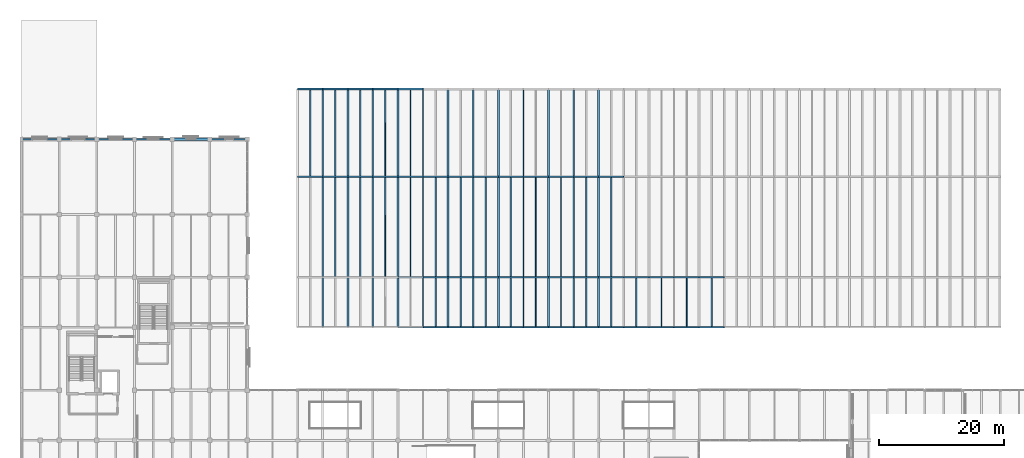
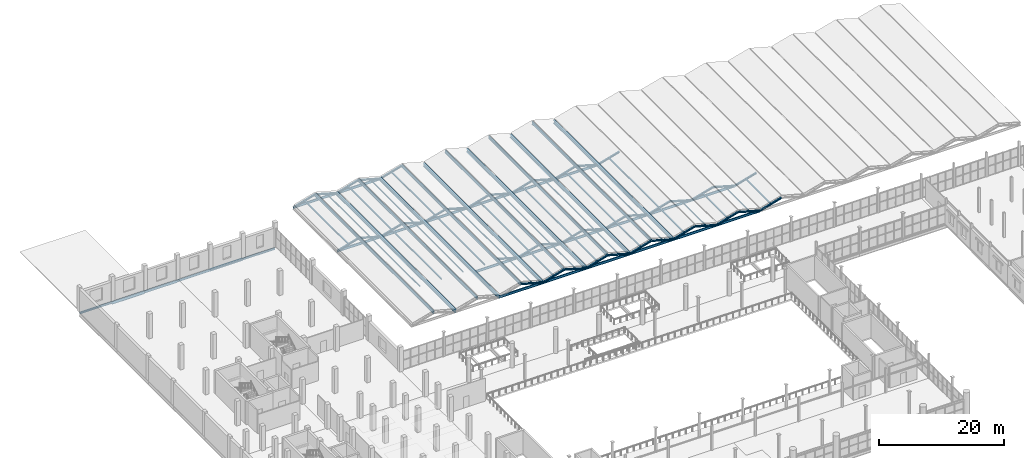
# One storey, part 62 of 114: 71 members, 38 beams.
"""IFC4 building model written with IfcOpenShell, lengths in metres."""

from ifc_helpers import new_model, si_unit, direction, frame, origin, origin_2d, place, context, subcontext, project, spatial, hollow_rectangle, i_section, extrude, material, material_profile, profile_set, type_object, element, save


model = new_model("IFC4")

# Units and contexts
model_context = context("Model", 3, precision=1e-05, world=origin(), true_north=direction((0.0, 1.0)))
body_context = subcontext(model_context, "Body", "Model", "MODEL_VIEW")
ifc_project = project(units=[si_unit("LENGTHUNIT", "METRE"), si_unit("AREAUNIT", "SQUARE_METRE"), si_unit("VOLUMEUNIT", "CUBIC_METRE"), si_unit("PLANEANGLEUNIT", "RADIAN"), si_unit("MASSUNIT", "GRAM", prefix="KILO")], contexts=[model_context])

# Site, building, storey
site_placement = place(None, origin())
site = spatial("IfcSite", under=ifc_project, at=site_placement, CompositionType="ELEMENT")
building_placement = place(site_placement, origin())
building = spatial("IfcBuilding", under=site, at=building_placement, Name="Verrall Gate Interchange", CompositionType="ELEMENT")
storey_placement = place(building_placement, frame((0.0, 0.0, 6.60009765625)))
storey = spatial("IfcBuildingStorey", under=building, at=storey_placement, Name="L02", CompositionType="ELEMENT", Elevation=6.60009765625)

# Beams
ifc_material_1 = material(Name="Structural Steel CSA G40.21 350WT Cat 4", Category="steel")
ifc_material_profile_1 = material_profile(ifc_material_1, i_section(OverallWidth=0.323974609375, OverallDepth=0.611083984375, WebThickness=0.0126953125, FlangeThickness=0.01904296875, FilletRadius=0.014892578125, at=origin_2d()), Name="W610x155")
ifc_profile_set_1 = profile_set([ifc_material_profile_1], Name="Structural Steel CSA G40.21 350WT Cat 4")
beam_type_1 = type_object("IfcBeamType", Name="B-08 Structural Beam W610x155", PredefinedType="BEAM", material=ifc_profile_set_1)
for number, where, z_axis, x_axis, name in (
    (1, (52.0, 66.0, -0.126708984375), (0.0, 1.0, 0.0), (-1.0, 0.0, 0.0), "Bus Roof Valley Girder X=52"),
    (2, (60.0, 66.0, -0.126708984375), (0.0, 1.0, 0.0), (-1.0, 0.0, 0.0), "Bus Roof Valley Girder X=60"),
    (3, (68.0, 66.0, -0.126708984375), (0.0, 1.0, 0.0), (-1.0, 0.0, 0.0), "Bus Roof Valley Girder X=68"),
    (4, (76.0, 66.0, -0.126708984375), (0.0, 1.0, 0.0), (-1.0, 0.0, 0.0), "Bus Roof Valley Girder X=76"),
    (5, (84.0, 66.0, -0.126708984375), (0.0, 1.0, 0.0), (-1.0, 0.0, 0.0), "Bus Roof Valley Girder X=84"),
    (6, (92.0, 66.0, -0.126708984375), (0.0, 1.0, 0.0), (-1.0, 0.0, 0.0), "Bus Roof Valley Girder X=92"),
):
    element("IfcBeam", number, at=place(storey_placement, frame(where, z_axis=z_axis, x_axis=x_axis)), inside=storey, type_object=beam_type_1, Name=name, PredefinedType="BEAM", context=body_context, shape_type="SweptSolid", body=[
        extrude(i_section(OverallWidth=0.323974609375, OverallDepth=0.611083984375, WebThickness=0.0126953125, FlangeThickness=0.01904296875, FilletRadius=0.014892578125, at=origin_2d()), origin(), (0.0, 0.0, 1.0), 38.0),
    ])
ifc_material_2 = material(Name="Structural Steel CSA G40.21 350W", Category="steel")
ifc_material_profile_2 = material_profile(ifc_material_2, i_section(OverallWidth=0.2109375, OverallDepth=0.5390625, WebThickness=0.01171875, FlangeThickness=0.018798828125, FilletRadius=0.013916015625, at=origin_2d()), Name="W530x109")
ifc_profile_set_2 = profile_set([ifc_material_profile_2], Name="Structural Steel CSA G40.21 350W")
beam_type_2 = type_object("IfcBeamType", Name="B-10 Structural Beam W530x109", PredefinedType="BEAM", material=ifc_profile_set_2)
beam_1_placement = place(storey_placement, frame((6.0, 96.0, -0.549560546875), z_axis=(1.0, 0.0, 0.0), x_axis=(0.0, 1.0, 0.0)))
element("IfcBeam", 7, at=beam_1_placement, inside=storey, type_object=beam_type_2, Name="L02 Girder BM-L02-1628 (B-10)", PredefinedType="BEAM", context=body_context, shape_type="SweptSolid", body=[
    extrude(i_section(OverallWidth=0.2109375, OverallDepth=0.5390625, WebThickness=0.01171875, FlangeThickness=0.018798828125, FilletRadius=0.013916015625, at=origin_2d()), origin(), (0.0, 0.0, 1.0), 6.0),
])
for number, where, z_axis, x_axis, name in (
    (8, (48.0, 66.0, 1.01318359375), (0.0, 1.0, 0.0), (-1.0, 0.0, 0.0), "Bus Roof Ridge Girder 01"),
    (9, (56.0, 66.0, 1.01318359375), (0.0, 1.0, 0.0), (-1.0, 0.0, 0.0), "Bus Roof Ridge Girder 02"),
    (10, (64.0, 66.0, 1.01318359375), (0.0, 1.0, 0.0), (-1.0, 0.0, 0.0), "Bus Roof Ridge Girder 03"),
    (11, (72.0, 66.0, 1.01318359375), (0.0, 1.0, 0.0), (-1.0, 0.0, 0.0), "Bus Roof Ridge Girder 04"),
    (12, (80.0, 66.0, 1.01318359375), (0.0, 1.0, 0.0), (-1.0, 0.0, 0.0), "Bus Roof Ridge Girder 05"),
    (13, (88.0, 66.0, 1.01318359375), (0.0, 1.0, 0.0), (-1.0, 0.0, 0.0), "Bus Roof Ridge Girder 06"),
):
    element("IfcBeam", number, at=place(storey_placement, frame(where, z_axis=z_axis, x_axis=x_axis)), inside=storey, type_object=beam_type_2, Name=name, PredefinedType="BEAM", context=body_context, shape_type="SweptSolid", body=[
        extrude(i_section(OverallWidth=0.2109375, OverallDepth=0.5390625, WebThickness=0.01171875, FlangeThickness=0.018798828125, FilletRadius=0.013916015625, at=origin_2d()), origin(), (0.0, 0.0, 1.0), 38.0),
    ])
ifc_material_3 = material(Name="Structural Steel CSA G40.21 350W", Category="steel")
ifc_material_profile_3 = material_profile(ifc_material_3, i_section(OverallWidth=0.19189453125, OverallDepth=0.462890625, WebThickness=0.010498046875, FlangeThickness=0.017578125, FilletRadius=0.012939453125, at=origin_2d()), Name="W460x89")
ifc_profile_set_3 = profile_set([ifc_material_profile_3], Name="Structural Steel CSA G40.21 350W")
beam_type_3 = type_object("IfcBeamType", Name="B-11 Structural Beam W460x89", PredefinedType="BEAM", material=ifc_profile_set_3)
beam_2_placement = place(storey_placement, frame((12.0, 96.0, -0.51171875), z_axis=(1.0, 0.0, 0.0), x_axis=(0.0, 1.0, 0.0)))
element("IfcBeam", 14, at=beam_2_placement, inside=storey, type_object=beam_type_3, Name="L02 Girder BM-L02-1629 (B-11)", PredefinedType="BEAM", context=body_context, shape_type="SweptSolid", body=[
    extrude(i_section(OverallWidth=0.19189453125, OverallDepth=0.462890625, WebThickness=0.010498046875, FlangeThickness=0.017578125, FilletRadius=0.012939453125, at=origin_2d()), origin(), (0.0, 0.0, 1.0), 6.0),
])
for number, where, z_axis, x_axis, name in (
    (15, (44.0, 90.0, -0.126708984375), (1.0, 0.0, 0.0), (0.0, 1.0, 0.0), "Bus Roof Tie Girder 1.90"),
    (16, (44.0, 104.0, -0.126708984375), (1.0, 0.0, 0.0), (0.0, 1.0, 0.0), "Bus Roof Tie Girder 1.104"),
    (17, (52.0, 90.0, -0.126708984375), (1.0, 0.0, 0.0), (0.0, 1.0, 0.0), "Bus Roof Tie Girder 2.90"),
    (18, (52.0, 104.0, -0.126708984375), (1.0, 0.0, 0.0), (0.0, 1.0, 0.0), "Bus Roof Tie Girder 2.104"),
    (19, (60.0, 66.0, -0.126708984375), (1.0, 0.0, 0.0), (0.0, 1.0, 0.0), "Bus Roof Tie Girder 3.66"),
    (20, (60.0, 74.0, -0.126708984375), (1.0, 0.0, 0.0), (0.0, 1.0, 0.0), "Bus Roof Tie Girder 3.74"),
    (21, (60.0, 90.0, -0.126708984375), (1.0, 0.0, 0.0), (0.0, 1.0, 0.0), "Bus Roof Tie Girder 3.90"),
    (22, (68.0, 66.0, -0.126708984375), (1.0, 0.0, 0.0), (0.0, 1.0, 0.0), "Bus Roof Tie Girder 4.66"),
    (23, (68.0, 74.0, -0.126708984375), (1.0, 0.0, 0.0), (0.0, 1.0, 0.0), "Bus Roof Tie Girder 4.74"),
    (24, (68.0, 90.0, -0.126708984375), (1.0, 0.0, 0.0), (0.0, 1.0, 0.0), "Bus Roof Tie Girder 4.90"),
    (25, (76.0, 66.0, -0.126708984375), (1.0, 0.0, 0.0), (0.0, 1.0, 0.0), "Bus Roof Tie Girder 5.66"),
    (26, (76.0, 74.0, -0.126708984375), (1.0, 0.0, 0.0), (0.0, 1.0, 0.0), "Bus Roof Tie Girder 5.74"),
    (27, (76.0, 90.0, -0.126708984375), (1.0, 0.0, 0.0), (0.0, 1.0, 0.0), "Bus Roof Tie Girder 5.90"),
    (28, (84.0, 66.0, -0.126708984375), (1.0, 0.0, 0.0), (0.0, 1.0, 0.0), "Bus Roof Tie Girder 6.66"),
    (29, (84.0, 74.0, -0.126708984375), (1.0, 0.0, 0.0), (0.0, 1.0, 0.0), "Bus Roof Tie Girder 6.74"),
    (30, (84.0, 90.0, -0.126708984375), (1.0, 0.0, 0.0), (0.0, 1.0, 0.0), "Bus Roof Tie Girder 6.90"),
    (31, (92.0, 66.0, -0.126708984375), (1.0, 0.0, 0.0), (0.0, 1.0, 0.0), "Bus Roof Tie Girder 7.66"),
    (32, (92.0, 74.0, -0.126708984375), (1.0, 0.0, 0.0), (0.0, 1.0, 0.0), "Bus Roof Tie Girder 7.74"),
    (33, (100.0, 66.0, -0.126708984375), (1.0, 0.0, 0.0), (0.0, 1.0, 0.0), "Bus Roof Tie Girder 8.66"),
    (34, (100.0, 74.0, -0.126708984375), (1.0, 0.0, 0.0), (0.0, 1.0, 0.0), "Bus Roof Tie Girder 8.74"),
):
    element("IfcBeam", number, at=place(storey_placement, frame(where, z_axis=z_axis, x_axis=x_axis)), inside=storey, type_object=beam_type_3, Name=name, PredefinedType="BEAM", context=body_context, shape_type="SweptSolid", body=[
        extrude(i_section(OverallWidth=0.19189453125, OverallDepth=0.462890625, WebThickness=0.010498046875, FlangeThickness=0.017578125, FilletRadius=0.012939453125, at=origin_2d()), origin(), (0.0, 0.0, 1.0), 8.0),
    ])
ifc_material_4 = material(Name="Structural Steel CSA G40.21 350W", Category="steel")
ifc_material_profile_4 = material_profile(ifc_material_4, i_section(OverallWidth=0.178955078125, OverallDepth=0.409912109375, WebThickness=0.0087890625, FlangeThickness=0.014404296875, FilletRadius=0.011962890625, at=origin_2d()), Name="W410x67")
ifc_profile_set_4 = profile_set([ifc_material_profile_4], Name="Structural Steel CSA G40.21 350W")
beam_type_4 = type_object("IfcBeamType", Name="B-12 Structural Beam W410x67", PredefinedType="BEAM", material=ifc_profile_set_4)
beam_3_placement = place(storey_placement, frame((18.0, 96.0, -0.485107421875), z_axis=(1.0, 0.0, 0.0), x_axis=(0.0, 1.0, 0.0)))
element("IfcBeam", 35, at=beam_3_placement, inside=storey, type_object=beam_type_4, Name="L02 Girder BM-L02-1630 (B-12)", PredefinedType="BEAM", context=body_context, shape_type="SweptSolid", body=[
    extrude(i_section(OverallWidth=0.178955078125, OverallDepth=0.409912109375, WebThickness=0.0087890625, FlangeThickness=0.014404296875, FilletRadius=0.011962890625, at=origin_2d()), origin(), (0.0, 0.0, 1.0), 6.0),
])
ifc_material_5 = material(Name="Structural Steel CSA G40.21 350W", Category="steel")
ifc_material_profile_5 = material_profile(ifc_material_5, i_section(OverallWidth=0.368896484375, OverallDepth=0.35595703125, WebThickness=0.01123046875, FlangeThickness=0.01806640625, FilletRadius=0.014892578125, at=origin_2d()), Name="W360x134")
ifc_profile_set_5 = profile_set([ifc_material_profile_5], Name="Structural Steel CSA G40.21 350W")
beam_type_5 = type_object("IfcBeamType", Name="B-13 Structural Beam W360x134", PredefinedType="BEAM", material=ifc_profile_set_5)
beam_4_placement = place(storey_placement, frame((24.0, 96.0, -0.4580078125), z_axis=(1.0, 0.0, 0.0), x_axis=(0.0, 1.0, 0.0)))
element("IfcBeam", 36, at=beam_4_placement, inside=storey, type_object=beam_type_5, Name="L02 Girder BM-L02-1631 (B-13)", PredefinedType="BEAM", context=body_context, shape_type="SweptSolid", body=[
    extrude(i_section(OverallWidth=0.368896484375, OverallDepth=0.35595703125, WebThickness=0.01123046875, FlangeThickness=0.01806640625, FilletRadius=0.014892578125, at=origin_2d()), origin(), (0.0, 0.0, 1.0), 6.0),
])
ifc_material_6 = material(Name="Structural Steel CSA G40.21 350W", Category="steel")
ifc_material_profile_6 = material_profile(ifc_material_6, i_section(OverallWidth=0.205078125, OverallDepth=0.35400390625, WebThickness=0.009521484375, FlangeThickness=0.016845703125, FilletRadius=0.012939453125, at=origin_2d()), Name="W360x79")
ifc_profile_set_6 = profile_set([ifc_material_profile_6], Name="Structural Steel CSA G40.21 350W")
beam_type_6 = type_object("IfcBeamType", Name="B-14 Structural Beam W360x79", PredefinedType="BEAM", material=ifc_profile_set_6)
for number, where, z_axis, x_axis, name in (
    (37, (0.0, 96.0, -0.45703125), (1.0, 0.0, 0.0), (0.0, 1.0, 0.0), "L02 Girder BM-L02-1627 (B-14)"),
    (38, (30.0, 96.0, -0.45703125), (1.0, 0.0, 0.0), (0.0, 1.0, 0.0), "L02 Girder BM-L02-1632 (B-14)"),
):
    element("IfcBeam", number, at=place(storey_placement, frame(where, z_axis=z_axis, x_axis=x_axis)), inside=storey, type_object=beam_type_6, Name=name, PredefinedType="BEAM", context=body_context, shape_type="SweptSolid", body=[
        extrude(i_section(OverallWidth=0.205078125, OverallDepth=0.35400390625, WebThickness=0.009521484375, FlangeThickness=0.016845703125, FilletRadius=0.012939453125, at=origin_2d()), origin(), (0.0, 0.0, 1.0), 6.0),
    ])

# Members
ifc_material_7 = material(Name="Structural Steel CSA G40.21 350WT Cat 4", Category="steel")
ifc_material_profile_7 = material_profile(ifc_material_7, i_section(OverallWidth=0.202880859375, OverallDepth=0.202880859375, WebThickness=0.007080078125, FlangeThickness=0.010986328125, FilletRadius=0.010009765625, at=origin_2d()), Name="W200x46")
ifc_profile_set_7 = profile_set([ifc_material_profile_7], Name="Structural Steel CSA G40.21 350WT Cat 4")
member_type_1 = type_object("IfcMemberType", Name="PR-02 Roof Purlin W200x46", PredefinedType="PURLIN", material=ifc_profile_set_7)
member_1_placement = place(storey_placement, frame((46.0, 90.0, 0.59326171875), z_axis=(0.0, 1.0, 0.0), x_axis=(-1.0, 0.0, 0.0)))
element("IfcMember", 39, at=member_1_placement, inside=storey, type_object=member_type_1, Name="Bus Roof Purlin W 1.90", PredefinedType="PURLIN", context=body_context, shape_type="SweptSolid", body=[
    extrude(i_section(OverallWidth=0.202880859375, OverallDepth=0.202880859375, WebThickness=0.007080078125, FlangeThickness=0.010986328125, FilletRadius=0.010009765625, at=origin_2d()), origin(), (0.0, 0.0, 1.0), 14.0),
])
member_2_placement = place(storey_placement, frame((54.0, 74.0, 0.59326171875), z_axis=(0.0, 1.0, 0.0), x_axis=(-1.0, 0.0, 0.0)))
element("IfcMember", 40, at=member_2_placement, inside=storey, type_object=member_type_1, Name="Bus Roof Purlin W 2.74", PredefinedType="PURLIN", context=body_context, shape_type="SweptSolid", body=[
    extrude(i_section(OverallWidth=0.202880859375, OverallDepth=0.202880859375, WebThickness=0.007080078125, FlangeThickness=0.010986328125, FilletRadius=0.010009765625, at=origin_2d()), origin(), (0.0, 0.0, 1.0), 16.0),
])
member_3_placement = place(storey_placement, frame((54.0, 90.0, 0.59326171875), z_axis=(0.0, 1.0, 0.0), x_axis=(-1.0, 0.0, 0.0)))
element("IfcMember", 41, at=member_3_placement, inside=storey, type_object=member_type_1, Name="Bus Roof Purlin W 2.90", PredefinedType="PURLIN", context=body_context, shape_type="SweptSolid", body=[
    extrude(i_section(OverallWidth=0.202880859375, OverallDepth=0.202880859375, WebThickness=0.007080078125, FlangeThickness=0.010986328125, FilletRadius=0.010009765625, at=origin_2d()), origin(), (0.0, 0.0, 1.0), 14.0),
])
member_4_placement = place(storey_placement, frame((62.0, 74.0, 0.59326171875), z_axis=(0.0, 1.0, 0.0), x_axis=(-1.0, 0.0, 0.0)))
element("IfcMember", 42, at=member_4_placement, inside=storey, type_object=member_type_1, Name="Bus Roof Purlin W 3.74", PredefinedType="PURLIN", context=body_context, shape_type="SweptSolid", body=[
    extrude(i_section(OverallWidth=0.202880859375, OverallDepth=0.202880859375, WebThickness=0.007080078125, FlangeThickness=0.010986328125, FilletRadius=0.010009765625, at=origin_2d()), origin(), (0.0, 0.0, 1.0), 16.0),
])
member_5_placement = place(storey_placement, frame((62.0, 90.0, 0.59326171875), z_axis=(0.0, 1.0, 0.0), x_axis=(-1.0, 0.0, 0.0)))
element("IfcMember", 43, at=member_5_placement, inside=storey, type_object=member_type_1, Name="Bus Roof Purlin W 3.90", PredefinedType="PURLIN", context=body_context, shape_type="SweptSolid", body=[
    extrude(i_section(OverallWidth=0.202880859375, OverallDepth=0.202880859375, WebThickness=0.007080078125, FlangeThickness=0.010986328125, FilletRadius=0.010009765625, at=origin_2d()), origin(), (0.0, 0.0, 1.0), 14.0),
])
member_6_placement = place(storey_placement, frame((70.0, 66.0, 0.59326171875), z_axis=(0.0, 1.0, 0.0), x_axis=(-1.0, 0.0, 0.0)))
element("IfcMember", 44, at=member_6_placement, inside=storey, type_object=member_type_1, Name="Bus Roof Purlin W 4.66", PredefinedType="PURLIN", context=body_context, shape_type="SweptSolid", body=[
    extrude(i_section(OverallWidth=0.202880859375, OverallDepth=0.202880859375, WebThickness=0.007080078125, FlangeThickness=0.010986328125, FilletRadius=0.010009765625, at=origin_2d()), origin(), (0.0, 0.0, 1.0), 8.0),
])
member_7_placement = place(storey_placement, frame((70.0, 74.0, 0.59326171875), z_axis=(0.0, 1.0, 0.0), x_axis=(-1.0, 0.0, 0.0)))
element("IfcMember", 45, at=member_7_placement, inside=storey, type_object=member_type_1, Name="Bus Roof Purlin W 4.74", PredefinedType="PURLIN", context=body_context, shape_type="SweptSolid", body=[
    extrude(i_section(OverallWidth=0.202880859375, OverallDepth=0.202880859375, WebThickness=0.007080078125, FlangeThickness=0.010986328125, FilletRadius=0.010009765625, at=origin_2d()), origin(), (0.0, 0.0, 1.0), 16.0),
])
member_8_placement = place(storey_placement, frame((78.0, 66.0, 0.59326171875), z_axis=(0.0, 1.0, 0.0), x_axis=(-1.0, 0.0, 0.0)))
element("IfcMember", 46, at=member_8_placement, inside=storey, type_object=member_type_1, Name="Bus Roof Purlin W 5.66", PredefinedType="PURLIN", context=body_context, shape_type="SweptSolid", body=[
    extrude(i_section(OverallWidth=0.202880859375, OverallDepth=0.202880859375, WebThickness=0.007080078125, FlangeThickness=0.010986328125, FilletRadius=0.010009765625, at=origin_2d()), origin(), (0.0, 0.0, 1.0), 8.0),
])
member_9_placement = place(storey_placement, frame((78.0, 74.0, 0.59326171875), z_axis=(0.0, 1.0, 0.0), x_axis=(-1.0, 0.0, 0.0)))
element("IfcMember", 47, at=member_9_placement, inside=storey, type_object=member_type_1, Name="Bus Roof Purlin W 5.74", PredefinedType="PURLIN", context=body_context, shape_type="SweptSolid", body=[
    extrude(i_section(OverallWidth=0.202880859375, OverallDepth=0.202880859375, WebThickness=0.007080078125, FlangeThickness=0.010986328125, FilletRadius=0.010009765625, at=origin_2d()), origin(), (0.0, 0.0, 1.0), 16.0),
])
member_10_placement = place(storey_placement, frame((86.0, 66.0, 0.59326171875), z_axis=(0.0, 1.0, 0.0), x_axis=(-1.0, 0.0, 0.0)))
element("IfcMember", 48, at=member_10_placement, inside=storey, type_object=member_type_1, Name="Bus Roof Purlin W 6.66", PredefinedType="PURLIN", context=body_context, shape_type="SweptSolid", body=[
    extrude(i_section(OverallWidth=0.202880859375, OverallDepth=0.202880859375, WebThickness=0.007080078125, FlangeThickness=0.010986328125, FilletRadius=0.010009765625, at=origin_2d()), origin(), (0.0, 0.0, 1.0), 8.0),
])
member_11_placement = place(storey_placement, frame((86.0, 74.0, 0.59326171875), z_axis=(0.0, 1.0, 0.0), x_axis=(-1.0, 0.0, 0.0)))
element("IfcMember", 49, at=member_11_placement, inside=storey, type_object=member_type_1, Name="Bus Roof Purlin W 6.74", PredefinedType="PURLIN", context=body_context, shape_type="SweptSolid", body=[
    extrude(i_section(OverallWidth=0.202880859375, OverallDepth=0.202880859375, WebThickness=0.007080078125, FlangeThickness=0.010986328125, FilletRadius=0.010009765625, at=origin_2d()), origin(), (0.0, 0.0, 1.0), 16.0),
])
member_12_placement = place(storey_placement, frame((94.0, 66.0, 0.59326171875), z_axis=(0.0, 1.0, 0.0), x_axis=(-1.0, 0.0, 0.0)))
element("IfcMember", 50, at=member_12_placement, inside=storey, type_object=member_type_1, Name="Bus Roof Purlin W 7.66", PredefinedType="PURLIN", context=body_context, shape_type="SweptSolid", body=[
    extrude(i_section(OverallWidth=0.202880859375, OverallDepth=0.202880859375, WebThickness=0.007080078125, FlangeThickness=0.010986328125, FilletRadius=0.010009765625, at=origin_2d()), origin(), (0.0, 0.0, 1.0), 8.0),
])
member_13_placement = place(storey_placement, frame((94.0, 74.0, 0.59326171875), z_axis=(0.0, 1.0, 0.0), x_axis=(-1.0, 0.0, 0.0)))
element("IfcMember", 51, at=member_13_placement, inside=storey, type_object=member_type_1, Name="Bus Roof Purlin W 7.74", PredefinedType="PURLIN", context=body_context, shape_type="SweptSolid", body=[
    extrude(i_section(OverallWidth=0.202880859375, OverallDepth=0.202880859375, WebThickness=0.007080078125, FlangeThickness=0.010986328125, FilletRadius=0.010009765625, at=origin_2d()), origin(), (0.0, 0.0, 1.0), 16.0),
])
for number, where, z_axis, x_axis, name in (
    (52, (102.0, 66.0, 0.59326171875), (0.0, 1.0, 0.0), (-1.0, 0.0, 0.0), "Bus Roof Purlin W 8.66"),
    (53, (110.0, 66.0, 0.59326171875), (0.0, 1.0, 0.0), (-1.0, 0.0, 0.0), "Bus Roof Purlin W 9.66"),
):
    element("IfcMember", number, at=place(storey_placement, frame(where, z_axis=z_axis, x_axis=x_axis)), inside=storey, type_object=member_type_1, Name=name, PredefinedType="PURLIN", context=body_context, shape_type="SweptSolid", body=[
        extrude(i_section(OverallWidth=0.202880859375, OverallDepth=0.202880859375, WebThickness=0.007080078125, FlangeThickness=0.010986328125, FilletRadius=0.010009765625, at=origin_2d()), origin(), (0.0, 0.0, 1.0), 8.0),
    ])
ifc_material_8 = material(Name="Structural Steel CSA G40.21 350WT Cat 4", Category="steel")
ifc_material_profile_8 = material_profile(ifc_material_8, hollow_rectangle(XDim=0.152099609375, YDim=0.202880859375, WallThickness=0.008056640625, InnerFilletRadius=0.008056640625, OuterFilletRadius=0.015869140625, at=origin_2d()), Name="HSS203x152x8.0")
ifc_profile_set_8 = profile_set([ifc_material_profile_8], Name="Structural Steel CSA G40.21 350WT Cat 4")
member_type_2 = type_object("IfcMemberType", Name="PR-04 Roof Purlin HSS203x152x8.0", PredefinedType="PURLIN", material=ifc_profile_set_8)
member_14_placement = place(storey_placement, frame((50.0, 74.0, 0.59326171875), z_axis=(0.0, 1.0, 0.0), x_axis=(-1.0, 0.0, 0.0)))
element("IfcMember", 54, at=member_14_placement, inside=storey, type_object=member_type_2, Name="Bus Roof Purlin E 1.74", PredefinedType="PURLIN", context=body_context, shape_type="SweptSolid", body=[
    extrude(hollow_rectangle(XDim=0.152099609375, YDim=0.202880859375, WallThickness=0.008056640625, InnerFilletRadius=0.008056640625, OuterFilletRadius=0.015869140625, at=origin_2d()), origin(), (0.0, 0.0, 1.0), 16.0),
])
member_15_placement = place(storey_placement, frame((50.0, 90.0, 0.59326171875), z_axis=(0.0, 1.0, 0.0), x_axis=(-1.0, 0.0, 0.0)))
element("IfcMember", 55, at=member_15_placement, inside=storey, type_object=member_type_2, Name="Bus Roof Purlin E 1.90", PredefinedType="PURLIN", context=body_context, shape_type="SweptSolid", body=[
    extrude(hollow_rectangle(XDim=0.152099609375, YDim=0.202880859375, WallThickness=0.008056640625, InnerFilletRadius=0.008056640625, OuterFilletRadius=0.015869140625, at=origin_2d()), origin(), (0.0, 0.0, 1.0), 14.0),
])
member_16_placement = place(storey_placement, frame((58.0, 74.0, 0.59326171875), z_axis=(0.0, 1.0, 0.0), x_axis=(-1.0, 0.0, 0.0)))
element("IfcMember", 56, at=member_16_placement, inside=storey, type_object=member_type_2, Name="Bus Roof Purlin E 2.74", PredefinedType="PURLIN", context=body_context, shape_type="SweptSolid", body=[
    extrude(hollow_rectangle(XDim=0.152099609375, YDim=0.202880859375, WallThickness=0.008056640625, InnerFilletRadius=0.008056640625, OuterFilletRadius=0.015869140625, at=origin_2d()), origin(), (0.0, 0.0, 1.0), 16.0),
])
member_17_placement = place(storey_placement, frame((58.0, 90.0, 0.59326171875), z_axis=(0.0, 1.0, 0.0), x_axis=(-1.0, 0.0, 0.0)))
element("IfcMember", 57, at=member_17_placement, inside=storey, type_object=member_type_2, Name="Bus Roof Purlin E 2.90", PredefinedType="PURLIN", context=body_context, shape_type="SweptSolid", body=[
    extrude(hollow_rectangle(XDim=0.152099609375, YDim=0.202880859375, WallThickness=0.008056640625, InnerFilletRadius=0.008056640625, OuterFilletRadius=0.015869140625, at=origin_2d()), origin(), (0.0, 0.0, 1.0), 14.0),
])
member_18_placement = place(storey_placement, frame((66.0, 66.0, 0.59326171875), z_axis=(0.0, 1.0, 0.0), x_axis=(-1.0, 0.0, 0.0)))
element("IfcMember", 58, at=member_18_placement, inside=storey, type_object=member_type_2, Name="Bus Roof Purlin E 3.66", PredefinedType="PURLIN", context=body_context, shape_type="SweptSolid", body=[
    extrude(hollow_rectangle(XDim=0.152099609375, YDim=0.202880859375, WallThickness=0.008056640625, InnerFilletRadius=0.008056640625, OuterFilletRadius=0.015869140625, at=origin_2d()), origin(), (0.0, 0.0, 1.0), 8.0),
])
member_19_placement = place(storey_placement, frame((66.0, 74.0, 0.59326171875), z_axis=(0.0, 1.0, 0.0), x_axis=(-1.0, 0.0, 0.0)))
element("IfcMember", 59, at=member_19_placement, inside=storey, type_object=member_type_2, Name="Bus Roof Purlin E 3.74", PredefinedType="PURLIN", context=body_context, shape_type="SweptSolid", body=[
    extrude(hollow_rectangle(XDim=0.152099609375, YDim=0.202880859375, WallThickness=0.008056640625, InnerFilletRadius=0.008056640625, OuterFilletRadius=0.015869140625, at=origin_2d()), origin(), (0.0, 0.0, 1.0), 16.0),
])
member_20_placement = place(storey_placement, frame((74.0, 66.0, 0.59326171875), z_axis=(0.0, 1.0, 0.0), x_axis=(-1.0, 0.0, 0.0)))
element("IfcMember", 60, at=member_20_placement, inside=storey, type_object=member_type_2, Name="Bus Roof Purlin E 4.66", PredefinedType="PURLIN", context=body_context, shape_type="SweptSolid", body=[
    extrude(hollow_rectangle(XDim=0.152099609375, YDim=0.202880859375, WallThickness=0.008056640625, InnerFilletRadius=0.008056640625, OuterFilletRadius=0.015869140625, at=origin_2d()), origin(), (0.0, 0.0, 1.0), 8.0),
])
member_21_placement = place(storey_placement, frame((74.0, 74.0, 0.59326171875), z_axis=(0.0, 1.0, 0.0), x_axis=(-1.0, 0.0, 0.0)))
element("IfcMember", 61, at=member_21_placement, inside=storey, type_object=member_type_2, Name="Bus Roof Purlin E 4.74", PredefinedType="PURLIN", context=body_context, shape_type="SweptSolid", body=[
    extrude(hollow_rectangle(XDim=0.152099609375, YDim=0.202880859375, WallThickness=0.008056640625, InnerFilletRadius=0.008056640625, OuterFilletRadius=0.015869140625, at=origin_2d()), origin(), (0.0, 0.0, 1.0), 16.0),
])
member_22_placement = place(storey_placement, frame((82.0, 66.0, 0.59326171875), z_axis=(0.0, 1.0, 0.0), x_axis=(-1.0, 0.0, 0.0)))
element("IfcMember", 62, at=member_22_placement, inside=storey, type_object=member_type_2, Name="Bus Roof Purlin E 5.66", PredefinedType="PURLIN", context=body_context, shape_type="SweptSolid", body=[
    extrude(hollow_rectangle(XDim=0.152099609375, YDim=0.202880859375, WallThickness=0.008056640625, InnerFilletRadius=0.008056640625, OuterFilletRadius=0.015869140625, at=origin_2d()), origin(), (0.0, 0.0, 1.0), 8.0),
])
member_23_placement = place(storey_placement, frame((82.0, 74.0, 0.59326171875), z_axis=(0.0, 1.0, 0.0), x_axis=(-1.0, 0.0, 0.0)))
element("IfcMember", 63, at=member_23_placement, inside=storey, type_object=member_type_2, Name="Bus Roof Purlin E 5.74", PredefinedType="PURLIN", context=body_context, shape_type="SweptSolid", body=[
    extrude(hollow_rectangle(XDim=0.152099609375, YDim=0.202880859375, WallThickness=0.008056640625, InnerFilletRadius=0.008056640625, OuterFilletRadius=0.015869140625, at=origin_2d()), origin(), (0.0, 0.0, 1.0), 16.0),
])
member_24_placement = place(storey_placement, frame((90.0, 66.0, 0.59326171875), z_axis=(0.0, 1.0, 0.0), x_axis=(-1.0, 0.0, 0.0)))
element("IfcMember", 64, at=member_24_placement, inside=storey, type_object=member_type_2, Name="Bus Roof Purlin E 6.66", PredefinedType="PURLIN", context=body_context, shape_type="SweptSolid", body=[
    extrude(hollow_rectangle(XDim=0.152099609375, YDim=0.202880859375, WallThickness=0.008056640625, InnerFilletRadius=0.008056640625, OuterFilletRadius=0.015869140625, at=origin_2d()), origin(), (0.0, 0.0, 1.0), 8.0),
])
member_25_placement = place(storey_placement, frame((90.0, 74.0, 0.59326171875), z_axis=(0.0, 1.0, 0.0), x_axis=(-1.0, 0.0, 0.0)))
element("IfcMember", 65, at=member_25_placement, inside=storey, type_object=member_type_2, Name="Bus Roof Purlin E 6.74", PredefinedType="PURLIN", context=body_context, shape_type="SweptSolid", body=[
    extrude(hollow_rectangle(XDim=0.152099609375, YDim=0.202880859375, WallThickness=0.008056640625, InnerFilletRadius=0.008056640625, OuterFilletRadius=0.015869140625, at=origin_2d()), origin(), (0.0, 0.0, 1.0), 16.0),
])
for number, where, z_axis, x_axis, name in (
    (66, (98.0, 66.0, 0.59326171875), (0.0, 1.0, 0.0), (-1.0, 0.0, 0.0), "Bus Roof Purlin E 7.66"),
    (67, (106.0, 66.0, 0.59326171875), (0.0, 1.0, 0.0), (-1.0, 0.0, 0.0), "Bus Roof Purlin E 8.66"),
):
    element("IfcMember", number, at=place(storey_placement, frame(where, z_axis=z_axis, x_axis=x_axis)), inside=storey, type_object=member_type_2, Name=name, PredefinedType="PURLIN", context=body_context, shape_type="SweptSolid", body=[
        extrude(hollow_rectangle(XDim=0.152099609375, YDim=0.202880859375, WallThickness=0.008056640625, InnerFilletRadius=0.008056640625, OuterFilletRadius=0.015869140625, at=origin_2d()), origin(), (0.0, 0.0, 1.0), 8.0),
    ])
ifc_material_9 = material(Name="Structural Steel CSA G40.21 350WT Cat 4", Category="steel")
ifc_material_profile_9 = material_profile(ifc_material_9, i_section(OverallWidth=0.25390625, OverallDepth=0.305908203125, WebThickness=0.0087890625, FlangeThickness=0.0146484375, FilletRadius=0.012939453125, at=origin_2d()), Name="W310x79")
ifc_profile_set_9 = profile_set([ifc_material_profile_9], Name="Structural Steel CSA G40.21 350WT Cat 4")
member_type_3 = type_object("IfcMemberType", Name="RF-03 Folded Roof Rafter W310x79", PredefinedType="RAFTER", material=ifc_profile_set_9)
for number, where, z_axis, x_axis, name in (
    (68, (44.0, 90.0, -0.126708984375), (0.961711999212, 0.0, 0.274062092549), (0.0, 1.0, 0.0), "Bus Roof Rafter W 1.90"),
    (69, (48.0, 90.0, 1.01318359375), (0.961711999212, 0.0, -0.274062092549), (0.0, 1.0, 0.0), "Bus Roof Rafter E 1.90"),
    (70, (44.0, 104.0, -0.126708984375), (0.961711999212, 0.0, 0.274062092549), (0.0, 1.0, 0.0), "Bus Roof Rafter W 1.104"),
    (71, (48.0, 104.0, 1.01318359375), (0.961711999212, 0.0, -0.274062092549), (0.0, 1.0, 0.0), "Bus Roof Rafter E 1.104"),
    (72, (52.0, 90.0, -0.126708984375), (0.961711999212, 0.0, 0.274062092549), (0.0, 1.0, 0.0), "Bus Roof Rafter W 2.90"),
    (73, (56.0, 90.0, 1.01318359375), (0.961711999212, 0.0, -0.274062092549), (0.0, 1.0, 0.0), "Bus Roof Rafter E 2.90"),
    (74, (52.0, 104.0, -0.126708984375), (0.961711999212, 0.0, 0.274062092549), (0.0, 1.0, 0.0), "Bus Roof Rafter W 2.104"),
    (75, (56.0, 104.0, 1.01318359375), (0.961711999212, 0.0, -0.274062092549), (0.0, 1.0, 0.0), "Bus Roof Rafter E 2.104"),
    (76, (64.0, 66.0, 1.01318359375), (0.961711999212, 0.0, -0.274062092549), (0.0, 1.0, 0.0), "Bus Roof Rafter E 3.66"),
    (77, (64.0, 74.0, 1.01318359375), (0.961711999212, 0.0, -0.274062092549), (0.0, 1.0, 0.0), "Bus Roof Rafter E 3.74"),
    (78, (60.0, 90.0, -0.126708984375), (0.961711999212, 0.0, 0.274062092549), (0.0, 1.0, 0.0), "Bus Roof Rafter W 3.90"),
    (79, (64.0, 90.0, 1.01318359375), (0.961711999212, 0.0, -0.274062092549), (0.0, 1.0, 0.0), "Bus Roof Rafter E 3.90"),
    (80, (60.0, 104.0, -0.126708984375), (0.961711999212, 0.0, 0.274062092549), (0.0, 1.0, 0.0), "Bus Roof Rafter W 3.104"),
    (81, (68.0, 66.0, -0.126708984375), (0.961711999212, 0.0, 0.274062092549), (0.0, 1.0, 0.0), "Bus Roof Rafter W 4.66"),
    (82, (72.0, 66.0, 1.01318359375), (0.961711999212, 0.0, -0.274062092549), (0.0, 1.0, 0.0), "Bus Roof Rafter E 4.66"),
    (83, (68.0, 74.0, -0.126708984375), (0.961711999212, 0.0, 0.274062092549), (0.0, 1.0, 0.0), "Bus Roof Rafter W 4.74"),
    (84, (72.0, 74.0, 1.01318359375), (0.961711999212, 0.0, -0.274062092549), (0.0, 1.0, 0.0), "Bus Roof Rafter E 4.74"),
    (85, (68.0, 90.0, -0.126708984375), (0.961711999212, 0.0, 0.274062092549), (0.0, 1.0, 0.0), "Bus Roof Rafter W 4.90"),
    (86, (72.0, 90.0, 1.01318359375), (0.961711999212, 0.0, -0.274062092549), (0.0, 1.0, 0.0), "Bus Roof Rafter E 4.90"),
    (87, (76.0, 66.0, -0.126708984375), (0.961711999212, 0.0, 0.274062092549), (0.0, 1.0, 0.0), "Bus Roof Rafter W 5.66"),
    (88, (80.0, 66.0, 1.01318359375), (0.961711999212, 0.0, -0.274062092549), (0.0, 1.0, 0.0), "Bus Roof Rafter E 5.66"),
    (89, (76.0, 74.0, -0.126708984375), (0.961711999212, 0.0, 0.274062092549), (0.0, 1.0, 0.0), "Bus Roof Rafter W 5.74"),
    (90, (80.0, 74.0, 1.01318359375), (0.961711999212, 0.0, -0.274062092549), (0.0, 1.0, 0.0), "Bus Roof Rafter E 5.74"),
    (91, (76.0, 90.0, -0.126708984375), (0.961711999212, 0.0, 0.274062092549), (0.0, 1.0, 0.0), "Bus Roof Rafter W 5.90"),
    (92, (80.0, 90.0, 1.01318359375), (0.961711999212, 0.0, -0.274062092549), (0.0, 1.0, 0.0), "Bus Roof Rafter E 5.90"),
    (93, (84.0, 66.0, -0.126708984375), (0.961711999212, 0.0, 0.274062092549), (0.0, 1.0, 0.0), "Bus Roof Rafter W 6.66"),
    (94, (88.0, 66.0, 1.01318359375), (0.961711999212, 0.0, -0.274062092549), (0.0, 1.0, 0.0), "Bus Roof Rafter E 6.66"),
    (95, (84.0, 74.0, -0.126708984375), (0.961711999212, 0.0, 0.274062092549), (0.0, 1.0, 0.0), "Bus Roof Rafter W 6.74"),
    (96, (88.0, 74.0, 1.01318359375), (0.961711999212, 0.0, -0.274062092549), (0.0, 1.0, 0.0), "Bus Roof Rafter E 6.74"),
    (97, (84.0, 90.0, -0.126708984375), (0.961711999212, 0.0, 0.274062092549), (0.0, 1.0, 0.0), "Bus Roof Rafter W 6.90"),
    (98, (88.0, 90.0, 1.01318359375), (0.961711999212, 0.0, -0.274062092549), (0.0, 1.0, 0.0), "Bus Roof Rafter E 6.90"),
    (99, (92.0, 66.0, -0.126708984375), (0.961711999212, 0.0, 0.274062092549), (0.0, 1.0, 0.0), "Bus Roof Rafter W 7.66"),
    (100, (96.0, 66.0, 1.01318359375), (0.961711999212, 0.0, -0.274062092549), (0.0, 1.0, 0.0), "Bus Roof Rafter E 7.66"),
    (101, (92.0, 74.0, -0.126708984375), (0.961711999212, 0.0, 0.274062092549), (0.0, 1.0, 0.0), "Bus Roof Rafter W 7.74"),
    (102, (96.0, 74.0, 1.01318359375), (0.961711999212, 0.0, -0.274062092549), (0.0, 1.0, 0.0), "Bus Roof Rafter E 7.74"),
    (103, (92.0, 90.0, -0.126708984375), (0.961711999212, 0.0, 0.274062092549), (0.0, 1.0, 0.0), "Bus Roof Rafter W 7.90"),
    (104, (100.0, 66.0, -0.126708984375), (0.961711999212, 0.0, 0.274062092549), (0.0, 1.0, 0.0), "Bus Roof Rafter W 8.66"),
    (105, (104.0, 66.0, 1.01318359375), (0.961711999212, 0.0, -0.274062092549), (0.0, 1.0, 0.0), "Bus Roof Rafter E 8.66"),
    (106, (100.0, 74.0, -0.126708984375), (0.961711999212, 0.0, 0.274062092549), (0.0, 1.0, 0.0), "Bus Roof Rafter W 8.74"),
    (107, (104.0, 74.0, 1.01318359375), (0.961711999212, 0.0, -0.274062092549), (0.0, 1.0, 0.0), "Bus Roof Rafter E 8.74"),
    (108, (108.0, 66.0, -0.126708984375), (0.961711999212, 0.0, 0.274062092549), (0.0, 1.0, 0.0), "Bus Roof Rafter W 9.66"),
    (109, (108.0, 74.0, -0.126708984375), (0.961711999212, 0.0, 0.274062092549), (0.0, 1.0, 0.0), "Bus Roof Rafter W 9.74"),
):
    element("IfcMember", number, at=place(storey_placement, frame(where, z_axis=z_axis, x_axis=x_axis)), inside=storey, type_object=member_type_3, Name=name, PredefinedType="RAFTER", context=body_context, shape_type="SweptSolid", body=[
        extrude(i_section(OverallWidth=0.25390625, OverallDepth=0.305908203125, WebThickness=0.0087890625, FlangeThickness=0.0146484375, FilletRadius=0.012939453125, at=origin_2d()), origin(), (0.0, 0.0, 1.0), 4.1591796875),
    ])

save(model, "model.ifc")
